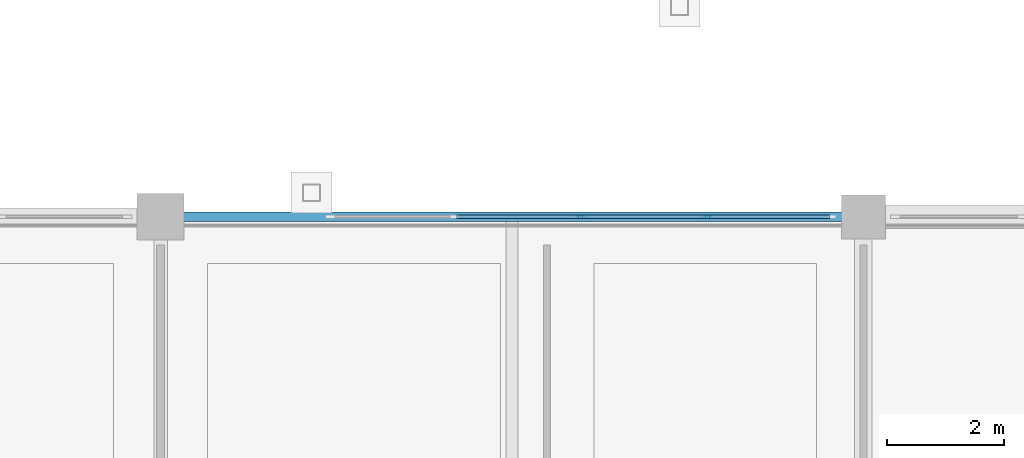
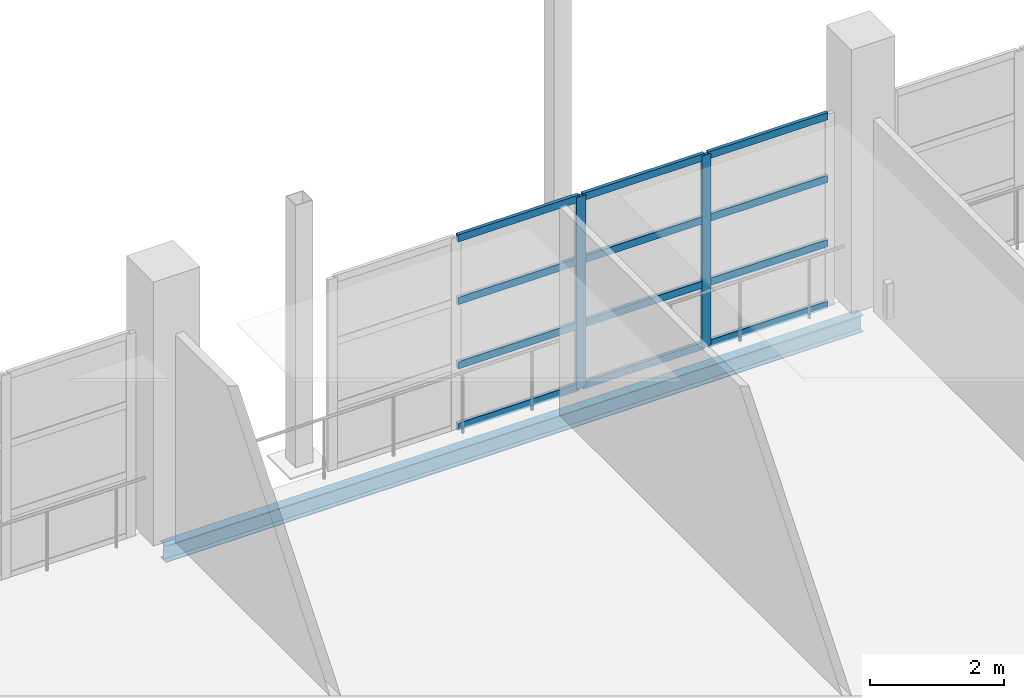
# One storey, part 37 of 143: 14 members, 1 beam, 1 element without a shape of its own.
"""IFC4 building model written with IfcOpenShell, lengths in metres."""

from ifc_helpers import new_model, si_unit, direction, frame, origin, origin_2d, place, context, subcontext, project, spatial, rectangle, i_section, extrude, material, material_profile, profile_set, type_object, element, aggregate, save


model = new_model("IFC4")

# Units and contexts
model_context = context("Model", 3, precision=1e-05, world=origin(), true_north=direction((0.0, 1.0)))
body_context = subcontext(model_context, "Body", "Model", "MODEL_VIEW")
ifc_project = project(units=[si_unit("LENGTHUNIT", "METRE"), si_unit("AREAUNIT", "SQUARE_METRE"), si_unit("VOLUMEUNIT", "CUBIC_METRE"), si_unit("PLANEANGLEUNIT", "RADIAN"), si_unit("MASSUNIT", "GRAM", prefix="KILO")], contexts=[model_context])

# Site, building, storey
site_placement = place(None, origin())
site = spatial("IfcSite", under=ifc_project, at=site_placement, CompositionType="ELEMENT")
building_placement = place(site_placement, origin())
building = spatial("IfcBuilding", under=site, at=building_placement, Name="Luwafu Chhajja Arena", CompositionType="ELEMENT")
storey_placement = place(building_placement, frame((0.0, 0.0, 5.39990234375)))
storey = spatial("IfcBuildingStorey", under=building, at=storey_placement, Name="L01", CompositionType="ELEMENT", Elevation=5.39990234375)

# Curtain wall, members
ifc_material_1 = material(Name="Anodised bronze aluminium", Category="aluminium")
curtain_wall_type = type_object("IfcCurtainWallType", Name="Bowl Concourse Chord Curtain Wall", PredefinedType="USERDEFINED", material=ifc_material_1)
curtain_wall_placement = place(storey_placement, origin())
curtain_wall = element("IfcCurtainWall", 1, at=curtain_wall_placement, inside=storey, type_object=curtain_wall_type, Name="L01 Bowl Viewing Curtain Wall CWR-L01-06", ObjectType="CURTAIN WALL", PredefinedType="USERDEFINED")
ifc_material_profile_1 = material_profile(ifc_material_1, rectangle(XDim=0.06005859375, YDim=0.159912109375, at=origin_2d()), Name="CWM 60x160")
ifc_profile_set_1 = profile_set([ifc_material_profile_1], Name="Anodised bronze aluminium")
member_type_1 = type_object("IfcMemberType", Name="Bronze Curtain Wall Mullion 60x160", PredefinedType="MULLION", material=ifc_profile_set_1)
member_1_placement = place(storey_placement, frame((123.17578125, 22.0, 0.0), z_axis=(0.0, 0.0, 1.0), x_axis=(0.0, 1.0, 0.0)))
member_1 = element("IfcMember", 2, at=member_1_placement, type_object=member_type_1, Name="CW-01 mullion 3", PredefinedType="MULLION", context=body_context, shape_type="SweptSolid", body=[
    extrude(rectangle(XDim=0.06005859375, YDim=0.159912109375, at=origin_2d()), origin(), (0.0, 0.0, 1.0), 3.489990234375),
])
member_2_placement = place(storey_placement, frame((125.330322265625, 22.0, 0.0), z_axis=(0.0, 0.0, 1.0), x_axis=(0.0, 1.0, 0.0)))
member_2 = element("IfcMember", 3, at=member_2_placement, type_object=member_type_1, Name="CW-01 mullion 4", PredefinedType="MULLION", context=body_context, shape_type="SweptSolid", body=[
    extrude(rectangle(XDim=0.06005859375, YDim=0.159912109375, at=origin_2d()), origin(), (0.0, 0.0, 1.0), 3.489990234375),
])
ifc_material_profile_2 = material_profile(ifc_material_1, rectangle(XDim=0.06005859375, YDim=0.1298828125, at=origin_2d()), Name="CWT 60x130")
ifc_profile_set_2 = profile_set([ifc_material_profile_2], Name="Anodised bronze aluminium")
member_type_2 = type_object("IfcMemberType", Name="Bronze Curtain Wall Transom 60x130", PredefinedType="USERDEFINED", material=ifc_profile_set_2)
member_3_placement = place(storey_placement, frame((121.05126953125, 22.0, 0.030029296875), z_axis=(1.0, 0.0, 0.0), x_axis=(0.0, 1.0, 0.0)))
member_3 = element("IfcMember", 4, at=member_3_placement, type_object=member_type_2, Name="CW-01 transom 2.1", ObjectType="TRANSOM", PredefinedType="USERDEFINED", context=body_context, shape_type="SweptSolid", body=[
    extrude(rectangle(XDim=0.06005859375, YDim=0.1298828125, at=origin_2d()), origin(), (0.0, 0.0, 1.0), 2.094482421875),
])
member_4_placement = place(storey_placement, frame((121.05126953125, 22.0, 1.150146484375), z_axis=(1.0, 0.0, 0.0), x_axis=(0.0, 1.0, 0.0)))
member_4 = element("IfcMember", 5, at=member_4_placement, type_object=member_type_2, Name="CW-01 transom 2.2", ObjectType="TRANSOM", PredefinedType="USERDEFINED", context=body_context, shape_type="SweptSolid", body=[
    extrude(rectangle(XDim=0.06005859375, YDim=0.1298828125, at=origin_2d()), origin(), (0.0, 0.0, 1.0), 2.094482421875),
])
member_5_placement = place(storey_placement, frame((121.05126953125, 22.0, 2.320068359375), z_axis=(1.0, 0.0, 0.0), x_axis=(0.0, 1.0, 0.0)))
member_5 = element("IfcMember", 6, at=member_5_placement, type_object=member_type_2, Name="CW-01 transom 2.3", ObjectType="TRANSOM", PredefinedType="USERDEFINED", context=body_context, shape_type="SweptSolid", body=[
    extrude(rectangle(XDim=0.06005859375, YDim=0.1298828125, at=origin_2d()), origin(), (0.0, 0.0, 1.0), 2.094482421875),
])
member_6_placement = place(storey_placement, frame((121.05126953125, 22.0, 3.460205078125), z_axis=(1.0, 0.0, 0.0), x_axis=(0.0, 1.0, 0.0)))
member_6 = element("IfcMember", 7, at=member_6_placement, type_object=member_type_2, Name="CW-01 transom 2.4", ObjectType="TRANSOM", PredefinedType="USERDEFINED", context=body_context, shape_type="SweptSolid", body=[
    extrude(rectangle(XDim=0.06005859375, YDim=0.1298828125, at=origin_2d()), origin(), (0.0, 0.0, 1.0), 2.094482421875),
])
member_7_placement = place(storey_placement, frame((123.205810546875, 22.0, 0.030029296875), z_axis=(1.0, 0.0, 0.0), x_axis=(0.0, 1.0, 0.0)))
member_7 = element("IfcMember", 8, at=member_7_placement, type_object=member_type_2, Name="CW-01 transom 3.1", ObjectType="TRANSOM", PredefinedType="USERDEFINED", context=body_context, shape_type="SweptSolid", body=[
    extrude(rectangle(XDim=0.06005859375, YDim=0.1298828125, at=origin_2d()), origin(), (0.0, 0.0, 1.0), 2.094482421875),
])
member_8_placement = place(storey_placement, frame((123.205810546875, 22.0, 1.150146484375), z_axis=(1.0, 0.0, 0.0), x_axis=(0.0, 1.0, 0.0)))
member_8 = element("IfcMember", 9, at=member_8_placement, type_object=member_type_2, Name="CW-01 transom 3.2", ObjectType="TRANSOM", PredefinedType="USERDEFINED", context=body_context, shape_type="SweptSolid", body=[
    extrude(rectangle(XDim=0.06005859375, YDim=0.1298828125, at=origin_2d()), origin(), (0.0, 0.0, 1.0), 2.094482421875),
])
member_9_placement = place(storey_placement, frame((123.205810546875, 22.0, 2.320068359375), z_axis=(1.0, 0.0, 0.0), x_axis=(0.0, 1.0, 0.0)))
member_9 = element("IfcMember", 10, at=member_9_placement, type_object=member_type_2, Name="CW-01 transom 3.3", ObjectType="TRANSOM", PredefinedType="USERDEFINED", context=body_context, shape_type="SweptSolid", body=[
    extrude(rectangle(XDim=0.06005859375, YDim=0.1298828125, at=origin_2d()), origin(), (0.0, 0.0, 1.0), 2.094482421875),
])
member_10_placement = place(storey_placement, frame((123.205810546875, 22.0, 3.460205078125), z_axis=(1.0, 0.0, 0.0), x_axis=(0.0, 1.0, 0.0)))
member_10 = element("IfcMember", 11, at=member_10_placement, type_object=member_type_2, Name="CW-01 transom 3.4", ObjectType="TRANSOM", PredefinedType="USERDEFINED", context=body_context, shape_type="SweptSolid", body=[
    extrude(rectangle(XDim=0.06005859375, YDim=0.1298828125, at=origin_2d()), origin(), (0.0, 0.0, 1.0), 2.094482421875),
])
member_11_placement = place(storey_placement, frame((125.3603515625, 22.0, 0.030029296875), z_axis=(1.0, 0.0, 0.0), x_axis=(0.0, 1.0, 0.0)))
member_11 = element("IfcMember", 12, at=member_11_placement, type_object=member_type_2, Name="CW-01 transom 4.1", ObjectType="TRANSOM", PredefinedType="USERDEFINED", context=body_context, shape_type="SweptSolid", body=[
    extrude(rectangle(XDim=0.06005859375, YDim=0.1298828125, at=origin_2d()), origin(), (0.0, 0.0, 1.0), 2.064697265625),
])
member_12_placement = place(storey_placement, frame((125.3603515625, 22.0, 1.150146484375), z_axis=(1.0, 0.0, 0.0), x_axis=(0.0, 1.0, 0.0)))
member_12 = element("IfcMember", 13, at=member_12_placement, type_object=member_type_2, Name="CW-01 transom 4.2", ObjectType="TRANSOM", PredefinedType="USERDEFINED", context=body_context, shape_type="SweptSolid", body=[
    extrude(rectangle(XDim=0.06005859375, YDim=0.1298828125, at=origin_2d()), origin(), (0.0, 0.0, 1.0), 2.064697265625),
])
member_13_placement = place(storey_placement, frame((125.3603515625, 22.0, 2.320068359375), z_axis=(1.0, 0.0, 0.0), x_axis=(0.0, 1.0, 0.0)))
member_13 = element("IfcMember", 14, at=member_13_placement, type_object=member_type_2, Name="CW-01 transom 4.3", ObjectType="TRANSOM", PredefinedType="USERDEFINED", context=body_context, shape_type="SweptSolid", body=[
    extrude(rectangle(XDim=0.06005859375, YDim=0.1298828125, at=origin_2d()), origin(), (0.0, 0.0, 1.0), 2.064697265625),
])
member_14_placement = place(storey_placement, frame((125.3603515625, 22.0, 3.460205078125), z_axis=(1.0, 0.0, 0.0), x_axis=(0.0, 1.0, 0.0)))
member_14 = element("IfcMember", 15, at=member_14_placement, type_object=member_type_2, Name="CW-01 transom 4.4", ObjectType="TRANSOM", PredefinedType="USERDEFINED", context=body_context, shape_type="SweptSolid", body=[
    extrude(rectangle(XDim=0.06005859375, YDim=0.1298828125, at=origin_2d()), origin(), (0.0, 0.0, 1.0), 2.064697265625),
])
aggregate(curtain_wall, [member_1, member_2, member_3, member_4, member_5, member_6, member_7, member_8, member_9, member_10, member_11, member_12, member_13, member_14])

# Beam
ifc_material_2 = material(Name="Steel S355", Category="steel")
ifc_material_profile_3 = material_profile(ifc_material_2, i_section(OverallWidth=0.165771484375, OverallDepth=0.306640625, WebThickness=0.006591796875, FlangeThickness=0.01171875, at=origin_2d()), Name="UB 305x165x46")
ifc_profile_set_3 = profile_set([ifc_material_profile_3], Name="Steel S355")
beam_type = type_object("IfcBeamType", Name="Concourse Edge Spandrel Beam UB 305x165x46", PredefinedType="SPANDREL", material=ifc_profile_set_3)
beam_placement = place(storey_placement, frame((116.0, 22.0, -0.483154296875), z_axis=(1.0, 0.0, 0.0), x_axis=(0.0, 1.0, 0.0)))
element("IfcBeam", 16, at=beam_placement, inside=storey, type_object=beam_type, Name="L01 Grid Beam 11-12/C", PredefinedType="SPANDREL", context=body_context, shape_type="SweptSolid", body=[
    extrude(i_section(OverallWidth=0.165771484375, OverallDepth=0.306640625, WebThickness=0.006591796875, FlangeThickness=0.01171875, at=origin_2d()), origin(), (0.0, 0.0, 1.0), 12.0),
])

save(model, "model.ifc")
